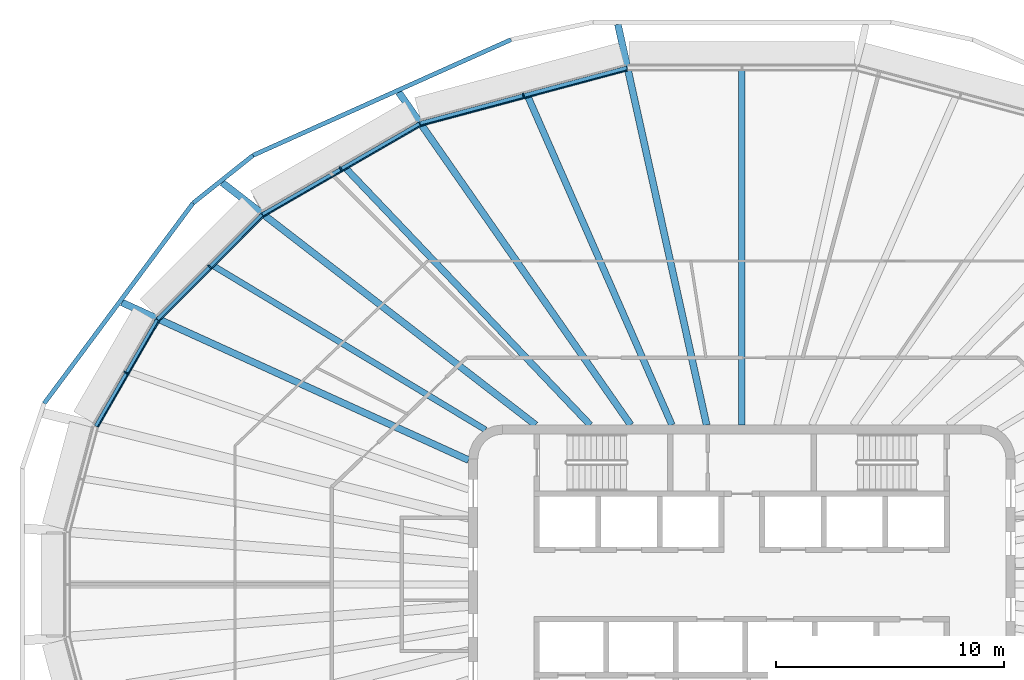
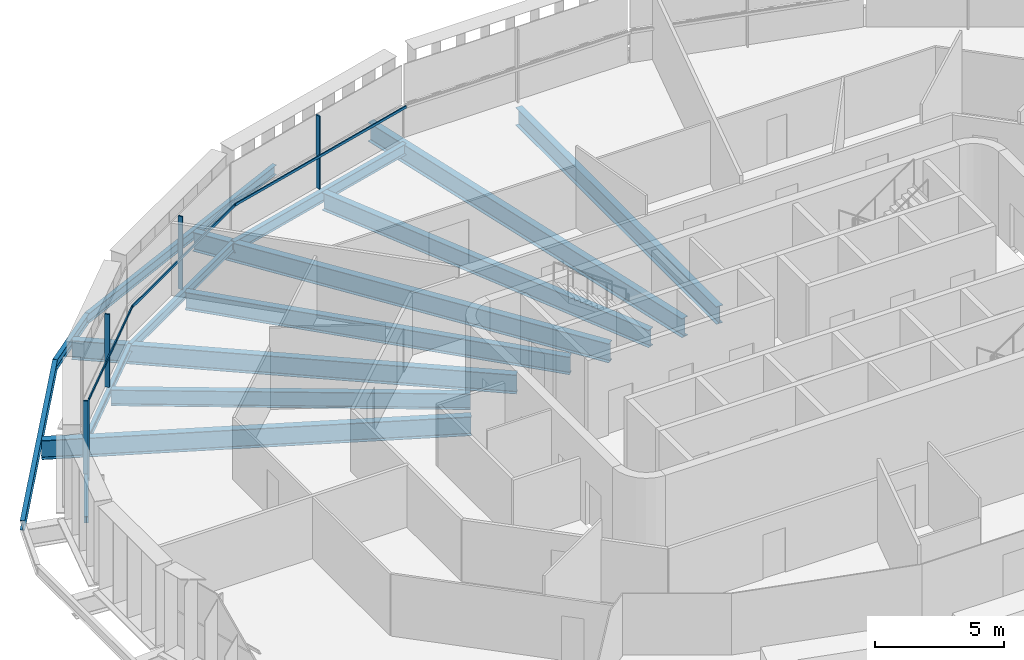
# One storey, part 6 of 20: 15 beams, 8 members, 4 elements without a shape of their own.
"""IFC4 building model written with IfcOpenShell, lengths in metres."""

from ifc_helpers import new_model, si_unit, direction, frame, origin, origin_2d, place, context, subcontext, project, spatial, rectangle, i_section, extrude, material, layer, layer_set, material_profile, profile_set, type_object, element, aggregate, save


model = new_model("IFC4")

# Units and contexts
model_context = context("Model", 3, precision=1e-05, world=origin(), true_north=direction((0.0, 1.0)))
body_context = subcontext(model_context, "Body", "Model", "MODEL_VIEW")
ifc_project = project(units=[si_unit("LENGTHUNIT", "METRE"), si_unit("AREAUNIT", "SQUARE_METRE"), si_unit("VOLUMEUNIT", "CUBIC_METRE"), si_unit("PLANEANGLEUNIT", "RADIAN"), si_unit("MASSUNIT", "GRAM", prefix="KILO")], contexts=[model_context])

# Site, building, storey
site_placement = place(None, origin())
site = spatial("IfcSite", under=ifc_project, at=site_placement, CompositionType="ELEMENT")
building_placement = place(site_placement, origin())
building = spatial("IfcBuilding", under=site, at=building_placement, Name="Sahrelin Media Tower", CompositionType="ELEMENT")
storey_placement = place(building_placement, frame((0.0, 0.0, 271.0)))
storey = spatial("IfcBuildingStorey", under=building, at=storey_placement, Name="L59", CompositionType="ELEMENT", Elevation=271.0)

# Beams
ifc_material_1 = material(Name="Steel S355", Category="steel")
ifc_material_profile_1 = material_profile(ifc_material_1, i_section(OverallWidth=0.1650390625, OverallDepth=0.303466796875, WebThickness=0.006103515625, FlangeThickness=0.01025390625, FilletRadius=0.0087890625, at=origin_2d()), Name="UB 305x165x40")
ifc_profile_set_1 = profile_set([ifc_material_profile_1], Name="Steel S355")
beam_type_1 = type_object("IfcBeamType", Name="Edge beam EB2", PredefinedType="BEAM", material=ifc_profile_set_1)
beam_1_placement = place(storey_placement, frame((-28.35888671875, 6.945556640625, -0.3017578125), z_axis=(0.499986373413, 0.866033270955, 0.0), x_axis=(-0.866033270955, 0.499986373413, 0.0)))
element("IfcBeam", 1, at=beam_1_placement, inside=storey, type_object=beam_type_1, Name="Edge beam L59-15", PredefinedType="BEAM", context=body_context, shape_type="SweptSolid", body=[
    extrude(i_section(OverallWidth=0.1650390625, OverallDepth=0.303466796875, WebThickness=0.006103515625, FlangeThickness=0.01025390625, FilletRadius=0.0087890625, at=origin_2d()), origin(), (0.0, 0.0, 1.0), 5.391845703125),
])
ifc_material_profile_2 = material_profile(ifc_material_1, i_section(OverallWidth=0.17138671875, OverallDepth=0.35498046875, WebThickness=0.00732421875, FlangeThickness=0.011474609375, FilletRadius=0.01025390625, at=origin_2d()), Name="UB 356x171x51")
ifc_profile_set_2 = profile_set([ifc_material_profile_2], Name="Steel S355")
beam_type_2 = type_object("IfcBeamType", Name="Edge beam EB3", PredefinedType="BEAM", material=ifc_profile_set_2)
beam_2_placement = place(storey_placement, frame((-25.6455078125, 11.6376953125, -0.327392578125), z_axis=(0.707106781187, 0.707106781187, 0.0), x_axis=(-0.707106781187, 0.707106781187, 0.0)))
element("IfcBeam", 2, at=beam_2_placement, inside=storey, type_object=beam_type_2, Name="Edge beam L59-16", PredefinedType="BEAM", context=body_context, shape_type="SweptSolid", body=[
    extrude(i_section(OverallWidth=0.17138671875, OverallDepth=0.35498046875, WebThickness=0.00732421875, FlangeThickness=0.011474609375, FilletRadius=0.01025390625, at=origin_2d()), origin(), (0.0, 0.0, 1.0), 6.478271484375),
])
ifc_material_profile_3 = material_profile(ifc_material_1, i_section(OverallWidth=0.177978515625, OverallDepth=0.406494140625, WebThickness=0.0078125, FlangeThickness=0.0126953125, FilletRadius=0.01025390625, at=origin_2d()), Name="UB 406x178x60")
ifc_profile_set_3 = profile_set([ifc_material_profile_3], Name="Steel S355")
beam_type_3 = type_object("IfcBeamType", Name="Edge beam EB4", PredefinedType="BEAM", material=ifc_profile_set_3)
beam_3_placement = place(storey_placement, frame((-21.041748046875, 16.236083984375, -0.353271484375), z_axis=(0.866015400443, 0.500017325895, 0.0), x_axis=(-0.500017325895, 0.866015400443, 0.0)))
element("IfcBeam", 3, at=beam_3_placement, inside=storey, type_object=beam_type_3, Name="Edge beam L59-17", PredefinedType="BEAM", context=body_context, shape_type="SweptSolid", body=[
    extrude(i_section(OverallWidth=0.177978515625, OverallDepth=0.406494140625, WebThickness=0.0078125, FlangeThickness=0.0126953125, FilletRadius=0.01025390625, at=origin_2d()), origin(), (0.0, 0.0, 1.0), 7.955322265625),
])
ifc_material_profile_4 = material_profile(ifc_material_1, i_section(OverallWidth=0.208740234375, OverallDepth=0.5283203125, WebThickness=0.009521484375, FlangeThickness=0.01318359375, FilletRadius=0.0126953125, at=origin_2d()), Name="UB 533x210x82")
ifc_profile_set_4 = profile_set([ifc_material_profile_4], Name="Steel S355")
beam_type_4 = type_object("IfcBeamType", Name="Edge beam EB6", PredefinedType="BEAM", material=ifc_profile_set_4)
beam_4_placement = place(storey_placement, frame((-14.125732421875, 20.224853515625, -0.4140625), z_axis=(0.96592475054, 0.25882305982, 0.0), x_axis=(-0.25882305982, 0.96592475054, 0.0)))
element("IfcBeam", 4, at=beam_4_placement, inside=storey, type_object=beam_type_4, Name="Edge beam L59-18", PredefinedType="BEAM", context=body_context, shape_type="SweptSolid", body=[
    extrude(i_section(OverallWidth=0.208740234375, OverallDepth=0.5283203125, WebThickness=0.009521484375, FlangeThickness=0.01318359375, FilletRadius=0.0126953125, at=origin_2d()), origin(), (0.0, 0.0, 1.0), 9.400634765625),
])

# Curtain wall, member
ifc_material_2 = material(Name="Champagne anodised aluminium 6063-T6", Category="aluminium")
ifc_layer = layer(ifc_material_2, 0.14990234375)
ifc_layer_set = layer_set([ifc_layer], Name="Tower ribbon curtain wall")
curtain_wall_type = type_object("IfcCurtainWallType", Name="Tower ribbon curtain wall", PredefinedType="NOTDEFINED", material=ifc_layer_set)
curtain_wall_1_placement = place(storey_placement, frame((-9.624267578125, 21.586181640625, 0.0), z_axis=(0.0, 0.0, 1.0), x_axis=(1.0, 0.0, 0.0)))
curtain_wall_1 = element("IfcCurtainWall", 5, at=curtain_wall_1_placement, inside=storey, type_object=curtain_wall_type, Name="L59:CW:L59-07", PredefinedType="NOTDEFINED")
ifc_material_profile_5 = material_profile(ifc_material_2, rectangle(XDim=0.06005859375, YDim=0.199951171875, at=origin_2d()), Name="Mullion 60x200")
ifc_profile_set_5 = profile_set([ifc_material_profile_5], Name="Champagne anodised aluminium 6063-T6")
member_type_1 = type_object("IfcMemberType", Name="Mullion 60x200 CW1C", PredefinedType="MULLION", material=ifc_profile_set_5)
member_1_placement = place(storey_placement, frame((-9.59326171875, 21.47021484375, 0.0), z_axis=(0.0, 0.0, 1.0), x_axis=(-0.965924019368, -0.258825788531, 0.0)))
member_1 = element("IfcMember", 6, at=member_1_placement, type_object=member_type_1, Name="L59:CWM:L59-07", PredefinedType="MULLION", context=body_context, shape_type="SweptSolid", body=[
    extrude(rectangle(XDim=0.06005859375, YDim=0.199951171875, at=origin_2d()), origin(), (0.0, 0.0, 1.0), 3.448486328125),
])

curtain_wall_2_placement = place(storey_placement, frame((-17.672119140625, 18.354736328125, 0.0), z_axis=(0.0, 0.0, 1.0), x_axis=(1.0, 0.0, 0.0)))
curtain_wall_2 = element("IfcCurtainWall", 7, at=curtain_wall_2_placement, inside=storey, type_object=curtain_wall_type, Name="L59:CW:L59-08", PredefinedType="NOTDEFINED")
member_2_placement = place(storey_placement, frame((-17.612060546875, 18.2509765625, 0.0), z_axis=(0.0, 0.0, 1.0), x_axis=(-0.866028021766, -0.499995465495, 0.0)))
member_2 = element("IfcMember", 8, at=member_2_placement, type_object=member_type_1, Name="L59:CWM:L59-08", PredefinedType="MULLION", context=body_context, shape_type="SweptSolid", body=[
    extrude(rectangle(XDim=0.06005859375, YDim=0.199951171875, at=origin_2d()), origin(), (0.0, 0.0, 1.0), 3.448486328125),
])

curtain_wall_3_placement = place(storey_placement, frame((-23.461181640625, 14.0341796875, 0.0), z_axis=(0.0, 0.0, 1.0), x_axis=(1.0, 0.0, 0.0)))
curtain_wall_3 = element("IfcCurtainWall", 9, at=curtain_wall_3_placement, inside=storey, type_object=curtain_wall_type, Name="L59:CW:L59-09", PredefinedType="NOTDEFINED")
member_3_placement = place(storey_placement, frame((-23.376220703125, 13.949462890625, 0.0), z_axis=(0.0, 0.0, 1.0), x_axis=(-0.707114185953, -0.707099376343, 0.0)))
member_3 = element("IfcMember", 10, at=member_3_placement, type_object=member_type_1, Name="L59:CWM:L59-09", PredefinedType="MULLION", context=body_context, shape_type="SweptSolid", body=[
    extrude(rectangle(XDim=0.06005859375, YDim=0.199951171875, at=origin_2d()), origin(), (0.0, 0.0, 1.0), 3.448486328125),
])

curtain_wall_4_placement = place(storey_placement, frame((-27.14111328125, 9.355224609375, 0.0), z_axis=(0.0, 0.0, 1.0), x_axis=(1.0, 0.0, 0.0)))
curtain_wall_4 = element("IfcCurtainWall", 11, at=curtain_wall_4_placement, inside=storey, type_object=curtain_wall_type, Name="L59:CW:L59-10", PredefinedType="NOTDEFINED")
member_4_placement = place(storey_placement, frame((-27.037109375, 9.295166015625, 0.0), z_axis=(0.0, 0.0, 1.0), x_axis=(-0.499989419466, -0.866031512372, 0.0)))
member_4 = element("IfcMember", 12, at=member_4_placement, type_object=member_type_1, Name="L59:CWM:L59-10", PredefinedType="MULLION", context=body_context, shape_type="SweptSolid", body=[
    extrude(rectangle(XDim=0.06005859375, YDim=0.199951171875, at=origin_2d()), origin(), (0.0, 0.0, 1.0), 3.448486328125),
])

# Beams
ifc_material_profile_6 = material_profile(ifc_material_1, i_section(OverallWidth=0.30322265625, OverallDepth=0.903076171875, WebThickness=0.01513671875, FlangeThickness=0.020263671875, FilletRadius=0.01904296875, at=origin_2d()), Name="UB 914x305x201")
ifc_profile_set_6 = profile_set([ifc_material_profile_6], Name="Steel S355")
beam_type_5 = type_object("IfcBeamType", Name="Radial primary beam PB11", PredefinedType="BEAM", material=ifc_profile_set_6)
beam_5_placement = place(storey_placement, frame((-1.550048828125, 7.0, -0.6015625), z_axis=(-0.216179890333, 0.976353550214, 0.0), x_axis=(-0.976353550214, -0.216179890333, 0.0)))
element("IfcBeam", 13, at=beam_5_placement, inside=storey, type_object=beam_type_5, Name="Radial beam L59-07", PredefinedType="BEAM", context=body_context, shape_type="SweptSolid", body=[
    extrude(i_section(OverallWidth=0.30322265625, OverallDepth=0.903076171875, WebThickness=0.01513671875, FlangeThickness=0.020263671875, FilletRadius=0.01904296875, at=origin_2d()), origin(), (0.0, 0.0, 1.0), 18.01416015625),
])
beam_6_placement = place(storey_placement, frame((-4.881103515625, 7.0, -0.6015625), z_axis=(-0.571979497162, 0.820267916492, 0.0), x_axis=(-0.820267916492, -0.571979497162, 0.0)))
element("IfcBeam", 14, at=beam_6_placement, inside=storey, type_object=beam_type_5, Name="Radial beam L59-08", PredefinedType="BEAM", context=body_context, shape_type="SweptSolid", body=[
    extrude(i_section(OverallWidth=0.30322265625, OverallDepth=0.903076171875, WebThickness=0.01513671875, FlangeThickness=0.020263671875, FilletRadius=0.01904296875, at=origin_2d()), origin(), (0.0, 0.0, 1.0), 17.801513671875),
])
beam_7_placement = place(storey_placement, frame((-9.05419921875, 7.0, -0.6015625), z_axis=(-0.791130322108, 0.611647621954, 0.0), x_axis=(-0.611647621954, -0.791130322108, 0.0)))
element("IfcBeam", 15, at=beam_7_placement, inside=storey, type_object=beam_type_5, Name="Radial beam L59-09", PredefinedType="BEAM", context=body_context, shape_type="SweptSolid", body=[
    extrude(i_section(OverallWidth=0.30322265625, OverallDepth=0.903076171875, WebThickness=0.01513671875, FlangeThickness=0.020263671875, FilletRadius=0.01904296875, at=origin_2d()), origin(), (0.0, 0.0, 1.0), 17.3935546875),
])
beam_8_placement = place(storey_placement, frame((-12.0, 5.4560546875, -0.6015625), z_axis=(-0.910323966554, 0.413896455551, 0.0), x_axis=(-0.413896455551, -0.910323966554, 0.0)))
element("IfcBeam", 16, at=beam_8_placement, inside=storey, type_object=beam_type_5, Name="Radial beam L59-10", PredefinedType="BEAM", context=body_context, shape_type="SweptSolid", body=[
    extrude(i_section(OverallWidth=0.30322265625, OverallDepth=0.903076171875, WebThickness=0.01513671875, FlangeThickness=0.020263671875, FilletRadius=0.01904296875, at=origin_2d()), origin(), (0.0, 0.0, 1.0), 16.719482421875),
])
ifc_material_profile_7 = material_profile(ifc_material_1, i_section(OverallWidth=0.291748046875, OverallDepth=0.8349609375, WebThickness=0.013916015625, FlangeThickness=0.018798828125, FilletRadius=0.017822265625, at=origin_2d()), Name="UB 838x292x176")
ifc_profile_set_7 = profile_set([ifc_material_profile_7], Name="Steel S355")
beam_type_6 = type_object("IfcBeamType", Name="Radial secondary beam SB10", PredefinedType="BEAM", material=ifc_profile_set_7)
beam_9_placement = place(storey_placement, frame((0.0, 7.0, -0.5673828125), z_axis=(0.0, 1.0, 0.0), x_axis=(-1.0, 0.0, 0.0)))
element("IfcBeam", 17, at=beam_9_placement, inside=storey, type_object=beam_type_6, Name="Secondary beam L59-06", PredefinedType="BEAM", context=body_context, shape_type="SweptSolid", body=[
    extrude(i_section(OverallWidth=0.291748046875, OverallDepth=0.8349609375, WebThickness=0.013916015625, FlangeThickness=0.018798828125, FilletRadius=0.017822265625, at=origin_2d()), origin(), (0.0, 0.0, 1.0), 15.557373046875),
])
beam_10_placement = place(storey_placement, frame((-3.07080078125, 7.0, -0.5673828125), z_axis=(-0.40173488582, 0.915756016368, 0.0), x_axis=(-0.915756016368, -0.40173488582, 0.0)))
element("IfcBeam", 18, at=beam_10_placement, inside=storey, type_object=beam_type_6, Name="Secondary beam L59-07", PredefinedType="BEAM", context=body_context, shape_type="SweptSolid", body=[
    extrude(i_section(OverallWidth=0.291748046875, OverallDepth=0.8349609375, WebThickness=0.013916015625, FlangeThickness=0.018798828125, FilletRadius=0.017822265625, at=origin_2d()), origin(), (0.0, 0.0, 1.0), 15.711181640625),
])
beam_11_placement = place(storey_placement, frame((-6.66357421875, 7.0, -0.5673828125), z_axis=(-0.689494250155, 0.724291156237, 0.0), x_axis=(-0.724291156237, -0.689494250155, 0.0)))
element("IfcBeam", 19, at=beam_11_placement, inside=storey, type_object=beam_type_6, Name="Secondary beam L59-08", PredefinedType="BEAM", context=body_context, shape_type="SweptSolid", body=[
    extrude(i_section(OverallWidth=0.291748046875, OverallDepth=0.8349609375, WebThickness=0.013916015625, FlangeThickness=0.018798828125, FilletRadius=0.017822265625, at=origin_2d()), origin(), (0.0, 0.0, 1.0), 15.53369140625),
])
ifc_material_profile_8 = material_profile(ifc_material_1, i_section(OverallWidth=0.26513671875, OverallDepth=0.75390625, WebThickness=0.0126953125, FlangeThickness=0.017578125, FilletRadius=0.0166015625, at=origin_2d()), Name="UB 762x267x147")
ifc_profile_set_8 = profile_set([ifc_material_profile_8], Name="Steel S355")
beam_type_7 = type_object("IfcBeamType", Name="Radial secondary beam SB9", PredefinedType="BEAM", material=ifc_profile_set_8)
beam_12_placement = place(storey_placement, frame((-11.26318359375, 6.788818359375, -0.527099609375), z_axis=(-0.856452909248, 0.516225158473, 0.0), x_axis=(-0.516225158473, -0.856452909248, 0.0)))
element("IfcBeam", 20, at=beam_12_placement, inside=storey, type_object=beam_type_7, Name="Secondary beam L59-09", PredefinedType="BEAM", context=body_context, shape_type="SweptSolid", body=[
    extrude(i_section(OverallWidth=0.26513671875, OverallDepth=0.75390625, WebThickness=0.0126953125, FlangeThickness=0.017578125, FilletRadius=0.0166015625, at=origin_2d()), origin(), (0.0, 0.0, 1.0), 13.921875),
])
ifc_material_profile_9 = material_profile(ifc_material_1, i_section(OverallWidth=0.1904296875, OverallDepth=0.45703125, WebThickness=0.009033203125, FlangeThickness=0.014404296875, FilletRadius=0.01025390625, at=origin_2d()), Name="UB 457x191x74")
ifc_profile_set_9 = profile_set([ifc_material_profile_9], Name="Steel S355")
beam_type_8 = type_object("IfcBeamType", Name="Tie chord TC5", PredefinedType="BEAM", material=ifc_profile_set_9)
beam_13_placement = place(storey_placement, frame((-10.134765625, 23.91650390625, -0.37841796875), z_axis=(-0.912453885524, -0.409179553242, 0.0), x_axis=(0.409179553242, -0.912453885524, 0.0)))
element("IfcBeam", 21, at=beam_13_placement, inside=storey, type_object=beam_type_8, Name="Tie chord L59-08", PredefinedType="BEAM", context=body_context, shape_type="SweptSolid", body=[
    extrude(i_section(OverallWidth=0.1904296875, OverallDepth=0.45703125, WebThickness=0.009033203125, FlangeThickness=0.014404296875, FilletRadius=0.01025390625, at=origin_2d()), origin(), (0.0, 0.0, 1.0), 12.415283203125),
])
beam_14_placement = place(storey_placement, frame((-21.463134765625, 18.83642578125, -0.37841796875), z_axis=(-0.782297174171, -0.622905395132, 0.0), x_axis=(0.622905395132, -0.782297174171, 0.0)))
element("IfcBeam", 22, at=beam_14_placement, inside=storey, type_object=beam_type_8, Name="Tie chord L59-09", PredefinedType="BEAM", context=body_context, shape_type="SweptSolid", body=[
    extrude(i_section(OverallWidth=0.1904296875, OverallDepth=0.45703125, WebThickness=0.009033203125, FlangeThickness=0.014404296875, FilletRadius=0.01025390625, at=origin_2d()), origin(), (0.0, 0.0, 1.0), 3.363525390625),
])
beam_15_placement = place(storey_placement, frame((-24.094482421875, 16.7412109375, -0.37841796875), z_axis=(-0.596549063613, -0.802576609865, 0.0), x_axis=(0.802576609865, -0.596549063613, 0.0)))
element("IfcBeam", 23, at=beam_15_placement, inside=storey, type_object=beam_type_8, Name="Tie chord L59-10", PredefinedType="BEAM", context=body_context, shape_type="SweptSolid", body=[
    extrude(i_section(OverallWidth=0.1904296875, OverallDepth=0.45703125, WebThickness=0.009033203125, FlangeThickness=0.014404296875, FilletRadius=0.01025390625, at=origin_2d()), origin(), (0.0, 0.0, 1.0), 10.963623046875),
])

# Member
ifc_material_profile_10 = material_profile(ifc_material_2, rectangle(XDim=0.050048828125, YDim=0.1201171875, at=origin_2d()), Name="Transom 50x120")
ifc_profile_set_10 = profile_set([ifc_material_profile_10], Name="Champagne anodised aluminium 6063-T6")
member_type_2 = type_object("IfcMemberType", Name="Transom 50x120 CW1C", PredefinedType="USERDEFINED", material=ifc_profile_set_10)
member_5_placement = place(storey_placement, frame((-5.035888671875, 22.56201171875, 1.60009765625), z_axis=(-0.965929790935, -0.25880424839, 0.0), x_axis=(0.25880424839, -0.965929790935, 0.0)))
member_5 = element("IfcMember", 24, at=member_5_placement, type_object=member_type_2, Name="L59:CWT:L59-07", ObjectType="TRANSOM", PredefinedType="USERDEFINED", context=body_context, shape_type="SweptSolid", body=[
    extrude(rectangle(XDim=0.050048828125, YDim=0.1201171875, at=origin_2d()), origin(), (0.0, 0.0, 1.0), 9.369140625),
])

aggregate(curtain_wall_1, [member_1, member_5])

member_6_placement = place(storey_placement, frame((-14.118408203125, 20.12353515625, 1.60009765625), z_axis=(-0.866027556635, -0.499996271135, 0.0), x_axis=(0.499996271135, -0.866027556635, 0.0)))
member_6 = element("IfcMember", 25, at=member_6_placement, type_object=member_type_2, Name="L59:CWT:L59-08", ObjectType="TRANSOM", PredefinedType="USERDEFINED", context=body_context, shape_type="SweptSolid", body=[
    extrude(rectangle(XDim=0.050048828125, YDim=0.1201171875, at=origin_2d()), origin(), (0.0, 0.0, 1.0), 7.923828125),
])

aggregate(curtain_wall_2, [member_2, member_6])

member_7_placement = place(storey_placement, frame((-21.008544921875, 16.140380859375, 1.60009765625), z_axis=(-0.707125715376, -0.70708784649, 0.0), x_axis=(0.70708784649, -0.707125715376, 0.0)))
member_7 = element("IfcMember", 26, at=member_7_placement, type_object=member_type_2, Name="L59:CWT:L59-09", ObjectType="TRANSOM", PredefinedType="USERDEFINED", context=body_context, shape_type="SweptSolid", body=[
    extrude(rectangle(XDim=0.050048828125, YDim=0.1201171875, at=origin_2d()), origin(), (0.0, 0.0, 1.0), 6.447021484375),
])

aggregate(curtain_wall_3, [member_3, member_7])

member_8_placement = place(storey_placement, frame((-25.588623046875, 11.5537109375, 1.60009765625), z_axis=(-0.500008949224, -0.866020236886, 0.0), x_axis=(0.866020236886, -0.500008949224, 0.0)))
member_8 = element("IfcMember", 27, at=member_8_placement, type_object=member_type_2, Name="L59:CWT:L59-10", ObjectType="TRANSOM", PredefinedType="USERDEFINED", context=body_context, shape_type="SweptSolid", body=[
    extrude(rectangle(XDim=0.050048828125, YDim=0.1201171875, at=origin_2d()), origin(), (0.0, 0.0, 1.0), 5.3603515625),
])

aggregate(curtain_wall_4, [member_4, member_8])

save(model, "model.ifc")
